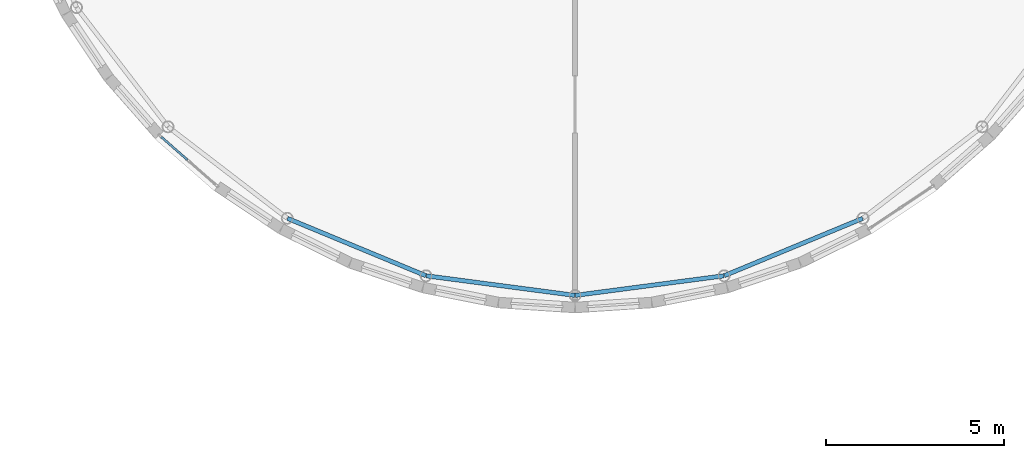
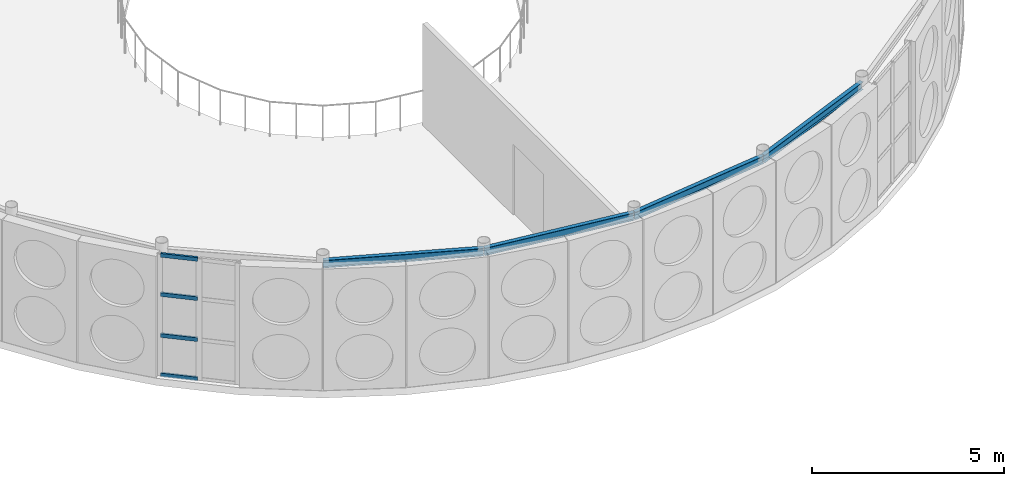
# One storey, part 47 of 189: 4 beams, 4 members, 1 element without a shape of its own.
"""IFC4 building model written with IfcOpenShell, lengths in metres."""

from ifc_helpers import new_model, si_unit, direction, frame, origin, origin_2d, place, context, subcontext, project, spatial, hollow_rectangle, i_section, extrude, material, layer, layer_set, material_profile, profile_set, type_object, element, aggregate, save


model = new_model("IFC4")

# Units and contexts
model_context = context("Model", 3, precision=1e-05, world=origin(), true_north=direction((0.0, 1.0)))
body_context = subcontext(model_context, "Body", "Model", "MODEL_VIEW")
ifc_project = project(units=[si_unit("LENGTHUNIT", "METRE"), si_unit("AREAUNIT", "SQUARE_METRE"), si_unit("VOLUMEUNIT", "CUBIC_METRE"), si_unit("PLANEANGLEUNIT", "RADIAN"), si_unit("MASSUNIT", "GRAM", prefix="KILO")], contexts=[model_context])

# Site, building, storey
site_placement = place(None, origin())
site = spatial("IfcSite", under=ifc_project, at=site_placement, CompositionType="ELEMENT")
building_placement = place(site_placement, origin())
building = spatial("IfcBuilding", under=site, at=building_placement, Name="Montecoro Central Library", CompositionType="ELEMENT")
storey_placement = place(building_placement, frame((0.0, 0.0, 9.179931640625)))
storey = spatial("IfcBuildingStorey", under=building, at=storey_placement, Name="L02", CompositionType="ELEMENT", Elevation=9.179931640625)

# Beams
ifc_material_1 = material(Name="Steel S355", Category="steel")
ifc_material_profile_1 = material_profile(ifc_material_1, i_section(OverallWidth=0.1201171875, OverallDepth=0.239990234375, WebThickness=0.006103515625, FlangeThickness=0.009765625, at=origin_2d()), Name="IPE 240")
ifc_profile_set_1 = profile_set([ifc_material_profile_1], Name="Steel S355")
beam_type = type_object("IfcBeamType", Name="BM-SP-IPE240", PredefinedType="SPANDREL", material=ifc_profile_set_1)
for number, where, z_axis, x_axis, name in (
    (1, (83.51904296875, 21.384033203125, 3.705078125), (0.923853323529, -0.382746700319, 0.0), (0.382746700319, 0.923853323529, 0.0), "V1-L02-RING-17"),
    (2, (87.422119140625, 19.77001953125, 3.705078125), (0.99143412197, -0.130607740177, 0.0), (0.130607740177, 0.99143412197, 0.0), "V1-L02-RING-18"),
    (3, (91.610107421875, 19.220947265625, 3.705078125), (0.99143412197, 0.130607740177, 0.0), (-0.130607740177, 0.99143412197, 0.0), "V1-L02-RING-19"),
):
    element("IfcBeam", number, at=place(storey_placement, frame(where, z_axis=z_axis, x_axis=x_axis)), inside=storey, type_object=beam_type, Name=name, PredefinedType="SPANDREL", context=body_context, shape_type="SweptSolid", body=[
        extrude(i_section(OverallWidth=0.1201171875, OverallDepth=0.239990234375, WebThickness=0.006103515625, FlangeThickness=0.009765625, at=origin_2d()), origin(), (0.0, 0.0, 1.0), 4.2041015625),
    ])
beam_placement = place(storey_placement, frame((95.797119140625, 19.77490234375, 3.705078125), z_axis=(0.923844815714, 0.382767235377, 0.0), x_axis=(-0.382767235377, 0.923844815714, 0.0)))
element("IfcBeam", 4, at=beam_placement, inside=storey, type_object=beam_type, Name="V1-L02-RING-20", PredefinedType="SPANDREL", context=body_context, shape_type="SweptSolid", body=[
    extrude(i_section(OverallWidth=0.1201171875, OverallDepth=0.239990234375, WebThickness=0.006103515625, FlangeThickness=0.009765625, at=origin_2d()), origin(), (0.0, 0.0, 1.0), 4.203857421875),
])

# Curtain wall, members
ifc_material_2 = material(Name="Bronze-anodised aluminium and low-E glazing", Category="aluminium")
ifc_layer = layer(ifc_material_2, 0.159912109375)
ifc_layer_set = layer_set([ifc_layer], Name="Bronze-anodised aluminium and low-E glazing")
curtain_wall_type = type_object("IfcCurtainWallType", Name="CWT-004", PredefinedType="NOTDEFINED", material=ifc_layer_set)
curtain_wall_placement = place(storey_placement, origin())
curtain_wall = element("IfcCurtainWall", 5, at=curtain_wall_placement, inside=storey, type_object=curtain_wall_type, Name="V1-L02-CW-31", PredefinedType="NOTDEFINED")
ifc_material_3 = material(Name="Bronze-anodised aluminium", Category="aluminium")
ifc_material_profile_2 = material_profile(ifc_material_3, hollow_rectangle(XDim=0.06005859375, YDim=0.1201171875, WallThickness=0.00390625, at=origin_2d()), Name="CWT 120x60x4.0")
ifc_profile_set_2 = profile_set([ifc_material_profile_2], Name="Bronze-anodised aluminium")
member_type = type_object("IfcMemberType", Name="CWT-BRZ-60", PredefinedType="USERDEFINED", material=ifc_profile_set_2)
member_1_placement = place(storey_placement, frame((79.969970703125, 23.67431640625, 0.030029296875), z_axis=(0.751698595953, -0.65950680121, 0.0), x_axis=(0.65950680121, 0.751698595953, 0.0)))
member_1 = element("IfcMember", 6, at=member_1_placement, type_object=member_type, Name="CW-004 transom 1.1", ObjectType="TRANSOM", PredefinedType="USERDEFINED", context=body_context, shape_type="SweptSolid", body=[
    extrude(hollow_rectangle(XDim=0.06005859375, YDim=0.1201171875, WallThickness=0.00390625, at=origin_2d()), origin(), (0.0, 0.0, 1.0), 0.982421875),
])
member_2_placement = place(storey_placement, frame((79.969970703125, 23.67431640625, 1.280029296875), z_axis=(0.751698595953, -0.65950680121, 0.0), x_axis=(0.65950680121, 0.751698595953, 0.0)))
member_2 = element("IfcMember", 7, at=member_2_placement, type_object=member_type, Name="CW-004 transom 1.2", ObjectType="TRANSOM", PredefinedType="USERDEFINED", context=body_context, shape_type="SweptSolid", body=[
    extrude(hollow_rectangle(XDim=0.06005859375, YDim=0.1201171875, WallThickness=0.00390625, at=origin_2d()), origin(), (0.0, 0.0, 1.0), 0.982421875),
])
member_3_placement = place(storey_placement, frame((79.969970703125, 23.67431640625, 2.580078125), z_axis=(0.751698595953, -0.65950680121, 0.0), x_axis=(0.65950680121, 0.751698595953, 0.0)))
member_3 = element("IfcMember", 8, at=member_3_placement, type_object=member_type, Name="CW-004 transom 1.3", ObjectType="TRANSOM", PredefinedType="USERDEFINED", context=body_context, shape_type="SweptSolid", body=[
    extrude(hollow_rectangle(XDim=0.06005859375, YDim=0.1201171875, WallThickness=0.00390625, at=origin_2d()), origin(), (0.0, 0.0, 1.0), 0.982421875),
])
member_4_placement = place(storey_placement, frame((79.969970703125, 23.67431640625, 3.824951171875), z_axis=(0.751698595953, -0.65950680121, 0.0), x_axis=(0.65950680121, 0.751698595953, 0.0)))
member_4 = element("IfcMember", 9, at=member_4_placement, type_object=member_type, Name="CW-004 transom 1.4", ObjectType="TRANSOM", PredefinedType="USERDEFINED", context=body_context, shape_type="SweptSolid", body=[
    extrude(hollow_rectangle(XDim=0.06005859375, YDim=0.1201171875, WallThickness=0.00390625, at=origin_2d()), origin(), (0.0, 0.0, 1.0), 0.982421875),
])
aggregate(curtain_wall, [member_1, member_2, member_3, member_4])

save(model, "model.ifc")
